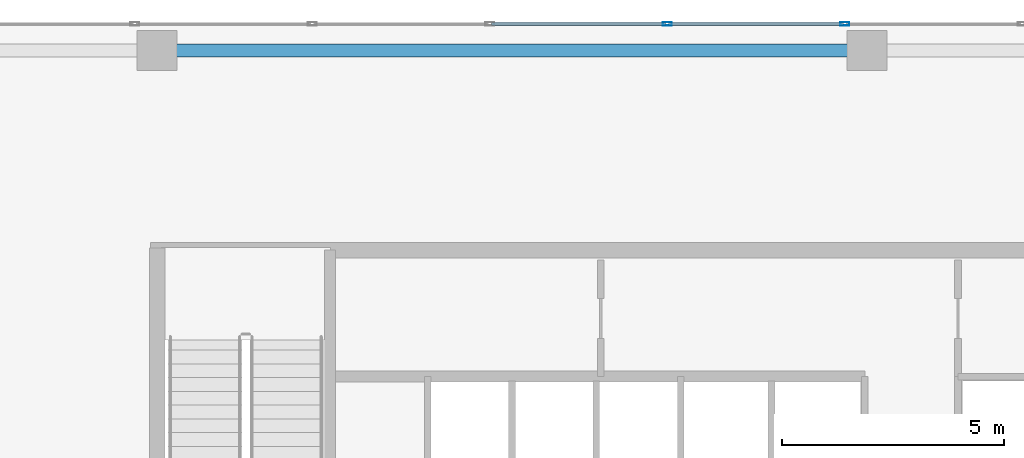
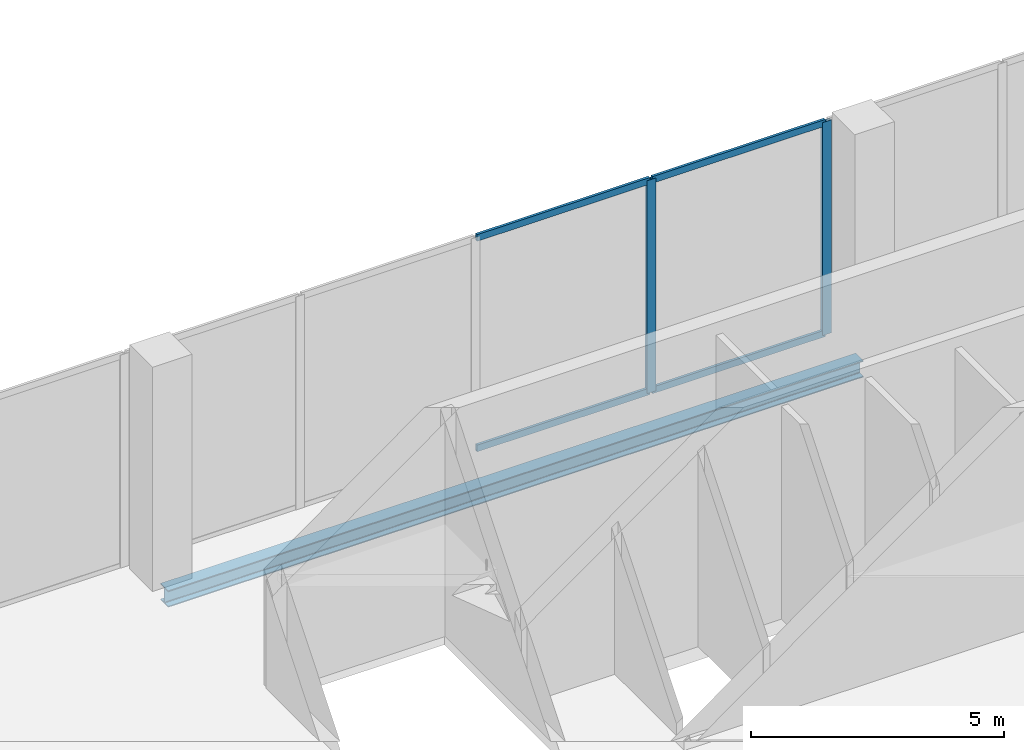
# One storey, part 15 of 24: 6 members, 1 beam, 1 element without a shape of its own.
"""IFC4 building model written with IfcOpenShell, lengths in metres."""

from ifc_helpers import new_model, si_unit, direction, frame, origin, origin_2d, place, context, subcontext, project, spatial, hollow_rectangle, i_section, extrude, material, layer, layer_set, material_profile, profile_set, type_object, element, aggregate, save


model = new_model("IFC4")

# Units and contexts
model_context = context("Model", 3, precision=1e-05, world=origin(), true_north=direction((0.0, 1.0)))
body_context = subcontext(model_context, "Body", "Model", "MODEL_VIEW")
ifc_project = project(units=[si_unit("LENGTHUNIT", "METRE"), si_unit("AREAUNIT", "SQUARE_METRE"), si_unit("VOLUMEUNIT", "CUBIC_METRE"), si_unit("PLANEANGLEUNIT", "RADIAN"), si_unit("MASSUNIT", "GRAM", prefix="KILO")], contexts=[model_context])

# Site, building, storey
site_placement = place(None, origin())
site = spatial("IfcSite", under=ifc_project, at=site_placement, CompositionType="ELEMENT")
building_placement = place(site_placement, origin())
building = spatial("IfcBuilding", under=site, at=building_placement, Name="Catumbela Crestline Tower", CompositionType="ELEMENT")
storey_placement = place(building_placement, frame((0.0, 0.0, 84.6)))
storey = spatial("IfcBuildingStorey", under=building, at=storey_placement, Name="L21", CompositionType="ELEMENT", Elevation=84.6)

# Curtain wall, members
ifc_material_1 = material(Name="Aluminium alloy AW-6060-T66", Category="aluminium")
ifc_layer = layer(ifc_material_1, 0.18, Name="Aluminium alloy AW-6060-T66")
ifc_layer_set = layer_set([ifc_layer], Name="Aluminium alloy AW-6060-T66")
curtain_wall_type = type_object("IfcCurtainWallType", Name="CWU-SKY", PredefinedType="USERDEFINED", material=ifc_layer_set)
curtain_wall_placement = place(storey_placement, origin())
curtain_wall = element("IfcCurtainWall", 1, at=curtain_wall_placement, inside=storey, type_object=curtain_wall_type, Name="L21 Unitised Curtain Wall CW-L21-E7S1", ObjectType="UNITISED", PredefinedType="USERDEFINED")
ifc_material_profile_1 = material_profile(ifc_material_1, hollow_rectangle(XDim=0.075, YDim=0.2, WallThickness=0.005, at=origin_2d()), Name="ALU 200x75x5")
ifc_profile_set_1 = profile_set([ifc_material_profile_1], Name="Aluminium alloy AW-6060-T66")
member_type_1 = type_object("IfcMemberType", Name="MUL-200X75", PredefinedType="MULLION", material=ifc_profile_set_1)
member_1_placement = place(storey_placement, frame((31.5, 48.0, 0.0), z_axis=(0.0, 0.0, 1.0), x_axis=(0.0, -1.0, 0.0)))
member_1 = element("IfcMember", 2, at=member_1_placement, type_object=member_type_1, Name="CWU-SKY mullion 5", PredefinedType="MULLION", context=body_context, shape_type="SweptSolid", body=[
    extrude(hollow_rectangle(XDim=0.075, YDim=0.2, WallThickness=0.005, at=origin_2d()), origin(), (0.0, 0.0, 1.0), 5.13),
])
member_2_placement = place(storey_placement, frame((27.5, 48.0, 0.0), z_axis=(0.0, 0.0, 1.0), x_axis=(0.0, -1.0, 0.0)))
member_2 = element("IfcMember", 3, at=member_2_placement, type_object=member_type_1, Name="CWU-SKY mullion 6", PredefinedType="MULLION", context=body_context, shape_type="SweptSolid", body=[
    extrude(hollow_rectangle(XDim=0.075, YDim=0.2, WallThickness=0.005, at=origin_2d()), origin(), (0.0, 0.0, 1.0), 5.13),
])

# Beam
ifc_material_2 = material(Name="Structural steel S355J2", Category="steel")
ifc_material_profile_2 = material_profile(ifc_material_2, i_section(OverallWidth=0.3, OverallDepth=0.4, WebThickness=0.0135, FlangeThickness=0.024, FilletRadius=0.027, at=origin_2d()), Name="HEB 400")
ifc_profile_set_2 = profile_set([ifc_material_profile_2], Name="Structural steel S355J2")
beam_type = type_object("IfcBeamType", Name="BS-HEB400", PredefinedType="SPANDREL", material=ifc_profile_set_2)
beam_placement = place(storey_placement, frame((16.08, 47.4, -0.55), z_axis=(1.0, 0.0, 0.0), x_axis=(0.0, 1.0, 0.0)))
element("IfcBeam", 4, at=beam_placement, inside=storey, type_object=beam_type, Name="L21 Spandrel SP-L21-NF19", PredefinedType="SPANDREL", context=body_context, shape_type="SweptSolid", body=[
    extrude(i_section(OverallWidth=0.3, OverallDepth=0.4, WebThickness=0.0135, FlangeThickness=0.024, FilletRadius=0.027, at=origin_2d()), origin(), (0.0, 0.0, 1.0), 15.84),
])

# Member
ifc_material_profile_3 = material_profile(ifc_material_1, hollow_rectangle(XDim=0.06, YDim=0.16, WallThickness=0.004, at=origin_2d()), Name="ALU 160x60x4")
ifc_profile_set_3 = profile_set([ifc_material_profile_3], Name="Aluminium alloy AW-6060-T66")
member_type_2 = type_object("IfcMemberType", Name="TRN-160X60", PredefinedType="USERDEFINED", material=ifc_profile_set_3)
member_3_placement = place(storey_placement, frame((31.4675, 48.0, 0.03), z_axis=(-1.0, 0.0, 0.0), x_axis=(0.0, -1.0, 0.0)))
member_3 = element("IfcMember", 5, at=member_3_placement, type_object=member_type_2, Name="CWU-SKY transom 5.1", ObjectType="TRANSOM", PredefinedType="USERDEFINED", context=body_context, shape_type="SweptSolid", body=[
    extrude(hollow_rectangle(XDim=0.06, YDim=0.16, WallThickness=0.004, at=origin_2d()), origin(), (0.0, 0.0, 1.0), 3.935),
])

member_4_placement = place(storey_placement, frame((31.4675, 48.0, 5.1), z_axis=(-1.0, 0.0, 0.0), x_axis=(0.0, -1.0, 0.0)))
member_4 = element("IfcMember", 6, at=member_4_placement, type_object=member_type_2, Name="CWU-SKY transom 5.2", ObjectType="TRANSOM", PredefinedType="USERDEFINED", context=body_context, shape_type="SweptSolid", body=[
    extrude(hollow_rectangle(XDim=0.06, YDim=0.16, WallThickness=0.004, at=origin_2d()), origin(), (0.0, 0.0, 1.0), 3.935),
])

member_5_placement = place(storey_placement, frame((27.4675, 48.0, 0.03), z_axis=(-1.0, 0.0, 0.0), x_axis=(0.0, -1.0, 0.0)))
member_5 = element("IfcMember", 7, at=member_5_placement, type_object=member_type_2, Name="CWU-SKY transom 6.1", ObjectType="TRANSOM", PredefinedType="USERDEFINED", context=body_context, shape_type="SweptSolid", body=[
    extrude(hollow_rectangle(XDim=0.06, YDim=0.16, WallThickness=0.004, at=origin_2d()), origin(), (0.0, 0.0, 1.0), 3.935),
])

member_6_placement = place(storey_placement, frame((27.4675, 48.0, 5.1), z_axis=(-1.0, 0.0, 0.0), x_axis=(0.0, -1.0, 0.0)))
member_6 = element("IfcMember", 8, at=member_6_placement, type_object=member_type_2, Name="CWU-SKY transom 6.2", ObjectType="TRANSOM", PredefinedType="USERDEFINED", context=body_context, shape_type="SweptSolid", body=[
    extrude(hollow_rectangle(XDim=0.06, YDim=0.16, WallThickness=0.004, at=origin_2d()), origin(), (0.0, 0.0, 1.0), 3.935),
])

aggregate(curtain_wall, [member_1, member_2, member_3, member_4, member_5, member_6])

save(model, "model.ifc")
